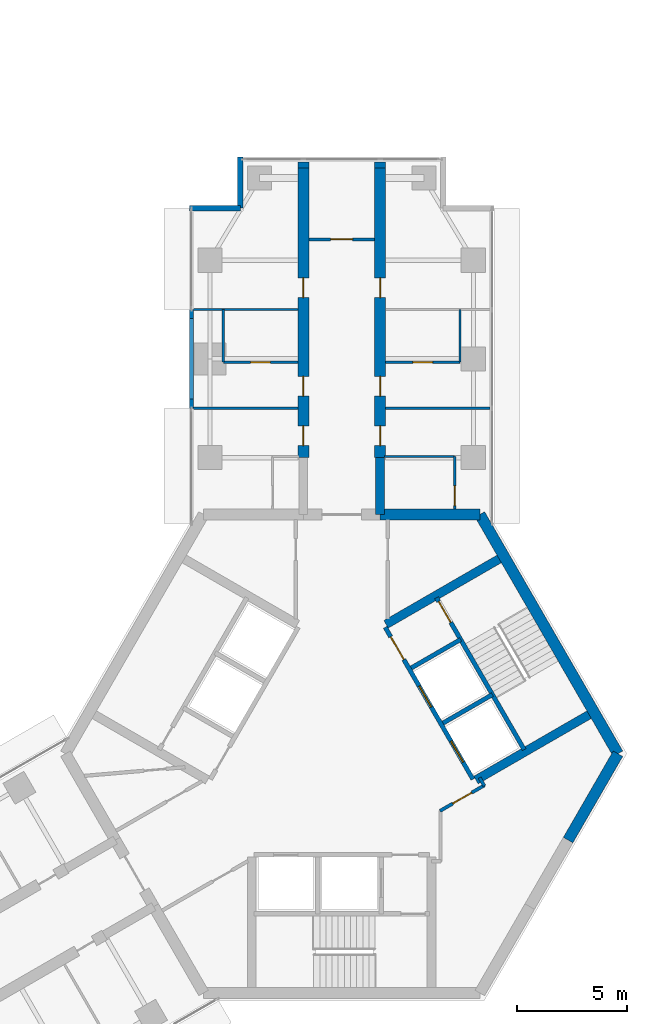
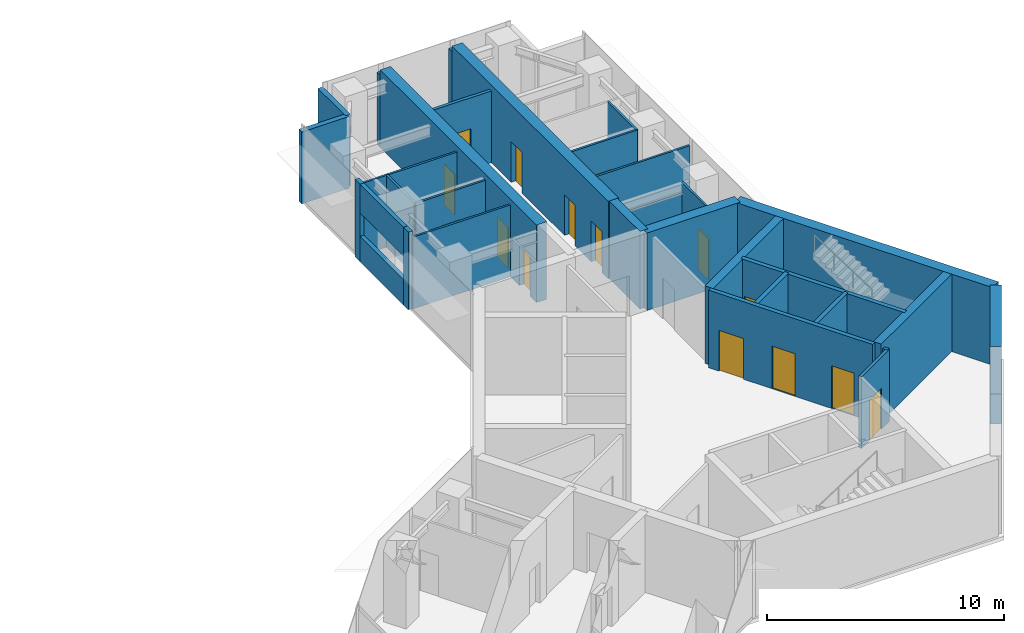
# One storey, part 15 of 17: 32 walls, 15 doors, 15 openings.
"""IFC4 building model written with IfcOpenShell, lengths in metres."""

from ifc_helpers import new_model, si_unit, direction, frame, frame_2d, origin, place, context, subcontext, project, spatial, rectangle, extrude, material, layer, layer_set, type_object, element, fill, save


model = new_model("IFC4")

# Units and contexts
model_context = context("Model", 3, precision=1e-05, world=origin(), true_north=direction((0.0, 1.0)))
body_context = subcontext(model_context, "Body", "Model", "MODEL_VIEW")
ifc_project = project(units=[si_unit("LENGTHUNIT", "METRE"), si_unit("AREAUNIT", "SQUARE_METRE"), si_unit("VOLUMEUNIT", "CUBIC_METRE"), si_unit("PLANEANGLEUNIT", "RADIAN"), si_unit("MASSUNIT", "GRAM", prefix="KILO")], contexts=[model_context])

# Site, building, storey
site_placement = place(None, origin())
site = spatial("IfcSite", under=ifc_project, at=site_placement, CompositionType="ELEMENT")
building_placement = place(site_placement, origin())
building = spatial("IfcBuilding", under=site, at=building_placement, Name="Upepo Twin Towers", CompositionType="ELEMENT")
storey_placement = place(building_placement, frame((0.0, 0.0, 234.5)))
storey = spatial("IfcBuildingStorey", under=building, at=storey_placement, Name="L57", CompositionType="ELEMENT", Elevation=234.5)

# Walls
ifc_material_1 = material(Name="Dense concrete blockwork", Category="masonry")
ifc_layer_1 = layer(ifc_material_1, 0.5)
ifc_layer_set_1 = layer_set([ifc_layer_1], Name="Buttress closer 500, blockwork with fire-stopping to the curtain wall")
wall_type_1 = type_object("IfcWallType", Name="Buttress closer 500, blockwork with fire-stopping to the curtain wall", PredefinedType="PARTITIONING", material=ifc_layer_set_1)
for number, where, z_axis, x_axis, name in (
    (1, (56.75, 8.699951171875, 0.0), (0.0, 0.0, 1.0), (0.0, 1.0, 0.0), "T2 L57 wing A buttress closer L"),
    (2, (60.25, 8.699951171875, 0.0), (0.0, 0.0, 1.0), (0.0, 1.0, 0.0), "T2 L57 wing A buttress closer R"),
):
    element("IfcWall", number, at=place(storey_placement, frame(where, z_axis=z_axis, x_axis=x_axis)), inside=storey, type_object=wall_type_1, Name=name, PredefinedType="PARTITIONING", context=body_context, shape_type="SweptSolid", body=[
        extrude(rectangle(XDim=0.28759765625, YDim=0.5, at=frame_2d((0.143798828125, 0.0))), origin(), (0.0, 0.0, 1.0), 3.699951171875),
    ])
ifc_material_2 = material(Name="Concrete C60/75", Category="concrete")
ifc_layer_2 = layer(ifc_material_2, 0.39990234375)
ifc_layer_set_2 = layer_set([ifc_layer_2], Name="Concrete C60/75")
wall_type_2 = type_object("IfcWallType", Name="Buttress wall 400 RC", PredefinedType="SHEAR", material=ifc_layer_set_2)
wall_1_placement = place(storey_placement, frame((60.25, -7.091552734375, 0.0), z_axis=(0.0, 0.0, 1.0), x_axis=(0.0, 1.0, 0.0)))
element("IfcWall", 3, at=wall_1_placement, inside=storey, type_object=wall_type_2, Name="T2 wing A buttress wall R", PredefinedType="SHEAR", context=body_context, shape_type="SweptSolid", body=[
    extrude(rectangle(XDim=2.591552734375, YDim=0.39990234375, at=frame_2d((1.2958984375, 0.0))), origin(), (0.0, 0.0, 1.0), 4.0),
])

# Wall, openings, doors
ifc_material_3 = material(Name="Concrete C60/75", Category="concrete")
ifc_layer_3 = layer(ifc_material_3, 0.5)
ifc_layer_set_3 = layer_set([ifc_layer_3], Name="Concrete C60/75")
wall_type_3 = type_object("IfcWallType", Name="Buttress wall 500 RC", PredefinedType="SHEAR", material=ifc_layer_set_3)
wall_2_placement = place(storey_placement, frame((56.75, -4.5, 0.0), z_axis=(0.0, 0.0, 1.0), x_axis=(0.0, 1.0, 0.0)))
wall_2 = element("IfcWall", 4, at=wall_2_placement, inside=storey, type_object=wall_type_3, Name="T2 wing A buttress wall L part 2", PredefinedType="SHEAR", context=body_context, shape_type="SweptSolid", body=[
    extrude(rectangle(XDim=13.199951171875, YDim=0.5, at=frame_2d((6.60009765625, 0.0))), origin(), (0.0, 0.0, 1.0), 4.0),
])
opening_1_placement = place(wall_2_placement, frame((0.550048828125, 0.0, 0.0)))
opening_1 = element("IfcOpeningElement", 5, at=opening_1_placement, cuts=wall_2, Name="Opening D11", PredefinedType="OPENING", context=body_context, shape_type="SweptSolid", body=[
    extrude(rectangle(XDim=0.89990234375, YDim=2.10009765625, at=frame_2d((0.449951171875, 1.050048828125))), frame((0.0, 0.260009765625, 0.0), z_axis=(0.0, -1.0, 0.0), x_axis=(1.0, 0.0, 0.0)), (0.0, 0.0, 1.0), 0.52001953125),
])
opening_2_placement = place(wall_2_placement, frame((2.800048828125, 0.0, 0.0)))
opening_2 = element("IfcOpeningElement", 6, at=opening_2_placement, cuts=wall_2, Name="Opening D14", PredefinedType="OPENING", context=body_context, shape_type="SweptSolid", body=[
    extrude(rectangle(XDim=0.89990234375, YDim=2.10009765625, at=frame_2d((0.449951171875, 1.050048828125))), frame((0.0, 0.260009765625, 0.0), z_axis=(0.0, -1.0, 0.0), x_axis=(1.0, 0.0, 0.0)), (0.0, 0.0, 1.0), 0.52001953125),
])
opening_3_placement = place(wall_2_placement, frame((7.300048828125, 0.0, 0.0)))
opening_3 = element("IfcOpeningElement", 7, at=opening_3_placement, cuts=wall_2, Name="Opening D14", PredefinedType="OPENING", context=body_context, shape_type="SweptSolid", body=[
    extrude(rectangle(XDim=0.89990234375, YDim=2.10009765625, at=frame_2d((0.449951171875, 1.050048828125))), frame((0.0, 0.260009765625, 0.0), z_axis=(0.0, -1.0, 0.0), x_axis=(1.0, 0.0, 0.0)), (0.0, 0.0, 1.0), 0.52001953125),
])
ifc_material_4 = material(Name="Timber doorset", Category="wood")
door_type_1 = type_object("IfcDoorType", Name="Office door 900 FD30", OperationType="SINGLE_SWING_LEFT", PredefinedType="DOOR", material=ifc_material_4)
door_1_placement = place(opening_2_placement, origin())
door_1 = element("IfcDoor", 8, at=door_1_placement, inside=storey, type_object=door_type_1, Name="T2 L57 staff office door", OperationType="SINGLE_SWING_LEFT", OverallHeight=2.10009765625, OverallWidth=0.89990234375, PredefinedType="DOOR", context=body_context, shape_type="SweptSolid", body=[
    extrude(rectangle(XDim=0.89990234375, YDim=2.10009765625, at=frame_2d((0.449951171875, 1.050048828125))), frame((0.0, 0.02490234375, 0.0), z_axis=(0.0, -1.0, 0.0), x_axis=(1.0, 0.0, 0.0)), (0.0, 0.0, 1.0), 0.050048828125),
])
fill(opening_2, door_1)
door_2_placement = place(opening_3_placement, origin())
door_2 = element("IfcDoor", 9, at=door_2_placement, inside=storey, type_object=door_type_1, Name="T2 L57 meeting room door", OperationType="SINGLE_SWING_RIGHT", OverallHeight=2.10009765625, OverallWidth=0.89990234375, PredefinedType="DOOR", context=body_context, shape_type="SweptSolid", body=[
    extrude(rectangle(XDim=0.89990234375, YDim=2.10009765625, at=frame_2d((0.449951171875, 1.050048828125))), frame((0.0, 0.02490234375, 0.0), z_axis=(0.0, -1.0, 0.0), x_axis=(1.0, 0.0, 0.0)), (0.0, 0.0, 1.0), 0.050048828125),
])
fill(opening_3, door_2)
ifc_material_5 = material(Name="Timber doorset", Category="wood")
door_type_2 = type_object("IfcDoorType", Name="Toilet door 900", OperationType="SINGLE_SWING_LEFT", PredefinedType="DOOR", material=ifc_material_5)
door_3_placement = place(opening_1_placement, origin())
door_3 = element("IfcDoor", 10, at=door_3_placement, inside=storey, type_object=door_type_2, Name="T2 L57 toilets door", OperationType="SINGLE_SWING_LEFT", OverallHeight=2.10009765625, OverallWidth=0.89990234375, PredefinedType="DOOR", context=body_context, shape_type="SweptSolid", body=[
    extrude(rectangle(XDim=0.89990234375, YDim=2.10009765625, at=frame_2d((0.449951171875, 1.050048828125))), frame((0.0, 0.02490234375, 0.0), z_axis=(0.0, -1.0, 0.0), x_axis=(1.0, 0.0, 0.0)), (0.0, 0.0, 1.0), 0.050048828125),
])
fill(opening_1, door_3)

wall_3_placement = place(storey_placement, frame((60.25, -4.5, 0.0), z_axis=(0.0, 0.0, 1.0), x_axis=(0.0, 1.0, 0.0)))
wall_3 = element("IfcWall", 11, at=wall_3_placement, inside=storey, type_object=wall_type_3, Name="T2 wing A buttress wall R part 2", PredefinedType="SHEAR", context=body_context, shape_type="SweptSolid", body=[
    extrude(rectangle(XDim=13.199951171875, YDim=0.5, at=frame_2d((6.60009765625, 0.0))), origin(), (0.0, 0.0, 1.0), 4.0),
])
opening_4_placement = place(wall_3_placement, frame((0.550048828125, 0.0, 0.0)))
opening_4 = element("IfcOpeningElement", 12, at=opening_4_placement, cuts=wall_3, Name="Opening D11", PredefinedType="OPENING", context=body_context, shape_type="SweptSolid", body=[
    extrude(rectangle(XDim=0.89990234375, YDim=2.10009765625, at=frame_2d((0.449951171875, 1.050048828125))), frame((0.0, 0.260009765625, 0.0), z_axis=(0.0, -1.0, 0.0), x_axis=(1.0, 0.0, 0.0)), (0.0, 0.0, 1.0), 0.52001953125),
])
opening_5_placement = place(wall_3_placement, frame((2.800048828125, 0.0, 0.0)))
opening_5 = element("IfcOpeningElement", 13, at=opening_5_placement, cuts=wall_3, Name="Opening D14", PredefinedType="OPENING", context=body_context, shape_type="SweptSolid", body=[
    extrude(rectangle(XDim=0.89990234375, YDim=2.10009765625, at=frame_2d((0.449951171875, 1.050048828125))), frame((0.0, 0.260009765625, 0.0), z_axis=(0.0, -1.0, 0.0), x_axis=(1.0, 0.0, 0.0)), (0.0, 0.0, 1.0), 0.52001953125),
])
opening_6_placement = place(wall_3_placement, frame((7.300048828125, 0.0, 0.0)))
opening_6 = element("IfcOpeningElement", 14, at=opening_6_placement, cuts=wall_3, Name="Opening D14", PredefinedType="OPENING", context=body_context, shape_type="SweptSolid", body=[
    extrude(rectangle(XDim=0.89990234375, YDim=2.10009765625, at=frame_2d((0.449951171875, 1.050048828125))), frame((0.0, 0.260009765625, 0.0), z_axis=(0.0, -1.0, 0.0), x_axis=(1.0, 0.0, 0.0)), (0.0, 0.0, 1.0), 0.52001953125),
])
door_4_placement = place(opening_5_placement, origin())
door_4 = element("IfcDoor", 15, at=door_4_placement, inside=storey, type_object=door_type_1, Name="T2 L57 staff office door", OperationType="SINGLE_SWING_LEFT", OverallHeight=2.10009765625, OverallWidth=0.89990234375, PredefinedType="DOOR", context=body_context, shape_type="SweptSolid", body=[
    extrude(rectangle(XDim=0.89990234375, YDim=2.10009765625, at=frame_2d((0.449951171875, 1.050048828125))), frame((0.0, 0.02490234375, 0.0), z_axis=(0.0, -1.0, 0.0), x_axis=(1.0, 0.0, 0.0)), (0.0, 0.0, 1.0), 0.050048828125),
])
fill(opening_5, door_4)
door_5_placement = place(opening_6_placement, origin())
door_5 = element("IfcDoor", 16, at=door_5_placement, inside=storey, type_object=door_type_1, Name="T2 L57 postgraduate office door", OperationType="SINGLE_SWING_RIGHT", OverallHeight=2.10009765625, OverallWidth=0.89990234375, PredefinedType="DOOR", context=body_context, shape_type="SweptSolid", body=[
    extrude(rectangle(XDim=0.89990234375, YDim=2.10009765625, at=frame_2d((0.449951171875, 1.050048828125))), frame((0.0, 0.02490234375, 0.0), z_axis=(0.0, -1.0, 0.0), x_axis=(1.0, 0.0, 0.0)), (0.0, 0.0, 1.0), 0.050048828125),
])
fill(opening_6, door_5)
door_6_placement = place(opening_4_placement, origin())
door_6 = element("IfcDoor", 17, at=door_6_placement, inside=storey, type_object=door_type_2, Name="T2 L57 accessible wc door", OperationType="SINGLE_SWING_LEFT", OverallHeight=2.10009765625, OverallWidth=0.89990234375, PredefinedType="DOOR", context=body_context, shape_type="SweptSolid", body=[
    extrude(rectangle(XDim=0.89990234375, YDim=2.10009765625, at=frame_2d((0.449951171875, 1.050048828125))), frame((0.0, 0.02490234375, 0.0), z_axis=(0.0, -1.0, 0.0), x_axis=(1.0, 0.0, 0.0)), (0.0, 0.0, 1.0), 0.050048828125),
])
fill(opening_4, door_6)

# Walls
ifc_material_6 = material(Name="Concrete C60/75", Category="concrete")
ifc_layer_4 = layer(ifc_material_6, 0.5)
ifc_layer_set_4 = layer_set([ifc_layer_4], Name="Concrete C60/75")
wall_type_4 = type_object("IfcWallType", Name="Core wall 500 RC", PredefinedType="SHEAR", material=ifc_layer_set_4)
wall_4_placement = place(storey_placement, frame((64.7978515625, -7.091552734375, 0.0), z_axis=(0.0, 0.0, 1.0), x_axis=(-1.0, 0.0, 0.0)))
element("IfcWall", 18, at=wall_4_placement, inside=storey, type_object=wall_type_4, Name="T2 core wall 000 R", PredefinedType="SHEAR", context=body_context, shape_type="SweptSolid", body=[
    extrude(rectangle(XDim=4.5478515625, YDim=0.5, at=frame_2d((2.27392578125, 0.0))), origin(), (0.0, 0.0, 1.0), 4.0),
])
wall_5_placement = place(storey_placement, frame((68.82177734375, -21.938720703125, 0.0), z_axis=(0.0, 0.0, 1.0), x_axis=(0.500024481964, 0.866011268655, 0.0)))
element("IfcWall", 19, at=wall_5_placement, inside=storey, type_object=wall_type_4, Name="T2 core wall 240 L", PredefinedType="SHEAR", context=body_context, shape_type="SweptSolid", body=[
    extrude(rectangle(XDim=4.548095703125, YDim=0.5, at=frame_2d((2.27392578125, 0.0))), origin(), (0.0, 0.0, 1.0), 4.0),
])
wall_6_placement = place(storey_placement, frame((71.095947265625, -18.0, 0.0), z_axis=(0.0, 0.0, 1.0), x_axis=(-0.500005998175, 0.866021940709, 0.0)))
element("IfcWall", 20, at=wall_6_placement, inside=storey, type_object=wall_type_4, Name="T2 core wall 300", PredefinedType="SHEAR", context=body_context, shape_type="SweptSolid", body=[
    extrude(rectangle(XDim=12.595947265625, YDim=0.5, at=frame_2d((6.2978515625, 0.0))), origin(), (0.0, 0.0, 1.0), 4.0),
])
ifc_material_7 = material(Name="Blockwork with anodised aluminium cladding", Category="masonry")
ifc_layer_5 = layer(ifc_material_7, 0.25)
ifc_layer_set_5 = layer_set([ifc_layer_5], Name="Notch cladding wall 250, pale metal")
wall_type_5 = type_object("IfcWallType", Name="Notch cladding wall 250, pale metal", PredefinedType="STANDARD", material=ifc_layer_set_5)
for number, where, z_axis, x_axis, name in (
    (21, (51.550048828125, 6.875, 0.0), (0.0, 0.0, 1.0), (1.0, 0.0, 0.0), "T2 L57 wing A notch wall L1"),
    (22, (53.875, 6.875, 0.0), (0.0, 0.0, 1.0), (0.0, 1.0, 0.0), "T2 L57 wing A notch wall L2"),
):
    element("IfcWall", number, at=place(storey_placement, frame(where, z_axis=z_axis, x_axis=x_axis)), inside=storey, type_object=wall_type_5, Name=name, PredefinedType="STANDARD", context=body_context, shape_type="SweptSolid", body=[
        extrude(rectangle(XDim=2.324951171875, YDim=0.25, at=frame_2d((1.16259765625, 0.0))), origin(), (0.0, 0.0, 1.0), 3.699951171875),
    ])
ifc_material_8 = material(Name="Gypsum board on steel studs", Category="steel")
ifc_layer_6 = layer(ifc_material_8, 0.10009765625)
ifc_layer_set_6 = layer_set([ifc_layer_6], Name="Office partition 100 stud")
wall_type_6 = type_object("IfcWallType", Name="Office partition 100 stud", PredefinedType="PARTITIONING", material=ifc_layer_set_6)
for number, where, z_axis, x_axis, name in (
    (23, (56.5, -2.25, 0.0), (0.0, 0.0, 1.0), (-1.0, 0.0, 0.0), "T2 partition AL at 15.75"),
    (24, (56.5, 2.25, 0.0), (0.0, 0.0, 1.0), (-1.0, 0.0, 0.0), "T2 partition AL at 20.25"),
):
    element("IfcWall", number, at=place(storey_placement, frame(where, z_axis=z_axis, x_axis=x_axis)), inside=storey, type_object=wall_type_6, Name=name, PredefinedType="PARTITIONING", context=body_context, shape_type="SweptSolid", body=[
        extrude(rectangle(XDim=4.75, YDim=0.10009765625, at=frame_2d((2.375, 0.0))), origin(), (0.0, 0.0, 1.0), 3.699951171875),
    ])
wall_7_placement = place(storey_placement, frame((53.10009765625, -0.14990234375, 0.0), z_axis=(0.0, 0.0, 1.0), x_axis=(0.0, 1.0, 0.0)))
element("IfcWall", 25, at=wall_7_placement, inside=storey, type_object=wall_type_6, Name="T2 inner room partition AL at 17.85", PredefinedType="PARTITIONING", context=body_context, shape_type="SweptSolid", body=[
    extrude(rectangle(XDim=2.39990234375, YDim=0.10009765625, at=frame_2d((1.199951171875, 0.0))), origin(), (0.0, 0.0, 1.0), 3.699951171875),
])

# Wall, opening, door
wall_8_placement = place(storey_placement, frame((56.5, -0.14990234375, 0.0), z_axis=(0.0, 0.0, 1.0), x_axis=(-1.0, 0.0, 0.0)))
wall_8 = element("IfcWall", 26, at=wall_8_placement, inside=storey, type_object=wall_type_6, Name="T2 inner room partition AL end at 17.85", PredefinedType="PARTITIONING", context=body_context, shape_type="SweptSolid", body=[
    extrude(rectangle(XDim=3.39990234375, YDim=0.10009765625, at=frame_2d((1.699951171875, 0.0))), origin(), (0.0, 0.0, 1.0), 3.699951171875),
])
opening_7_placement = place(wall_8_placement, frame((1.25, 0.0, 0.0)))
opening_7 = element("IfcOpeningElement", 27, at=opening_7_placement, cuts=wall_8, Name="Opening D14", PredefinedType="OPENING", context=body_context, shape_type="SweptSolid", body=[
    extrude(rectangle(XDim=0.89990234375, YDim=2.10009765625, at=frame_2d((0.449951171875, 1.050048828125))), frame((0.0, 0.06005859375, 0.0), z_axis=(0.0, -1.0, 0.0), x_axis=(1.0, 0.0, 0.0)), (0.0, 0.0, 1.0), 0.1201171875),
])
door_7_placement = place(opening_7_placement, origin())
door_7 = element("IfcDoor", 28, at=door_7_placement, inside=storey, type_object=door_type_1, Name="T2 L57 inner room door", OperationType="SINGLE_SWING_LEFT", OverallHeight=2.10009765625, OverallWidth=0.89990234375, PredefinedType="DOOR", context=body_context, shape_type="SweptSolid", body=[
    extrude(rectangle(XDim=0.89990234375, YDim=2.10009765625, at=frame_2d((0.449951171875, 1.050048828125))), frame((0.0, 0.02490234375, 0.0), z_axis=(0.0, -1.0, 0.0), x_axis=(1.0, 0.0, 0.0)), (0.0, 0.0, 1.0), 0.050048828125),
])
fill(opening_7, door_7)

# Walls
wall_9_placement = place(storey_placement, frame((60.5, -2.25, 0.0), z_axis=(0.0, 0.0, 1.0), x_axis=(1.0, 0.0, 0.0)))
element("IfcWall", 29, at=wall_9_placement, inside=storey, type_object=wall_type_6, Name="T2 partition AR at 15.75", PredefinedType="PARTITIONING", context=body_context, shape_type="SweptSolid", body=[
    extrude(rectangle(XDim=4.75, YDim=0.10009765625, at=frame_2d((2.375, 0.0))), origin(), (0.0, 0.0, 1.0), 3.699951171875),
])
wall_10_placement = place(storey_placement, frame((63.89990234375, -0.14990234375, 0.0), z_axis=(0.0, 0.0, 1.0), x_axis=(0.0, 1.0, 0.0)))
element("IfcWall", 30, at=wall_10_placement, inside=storey, type_object=wall_type_6, Name="T2 inner room partition AR at 17.85", PredefinedType="PARTITIONING", context=body_context, shape_type="SweptSolid", body=[
    extrude(rectangle(XDim=2.39990234375, YDim=0.10009765625, at=frame_2d((1.199951171875, 0.0))), origin(), (0.0, 0.0, 1.0), 3.699951171875),
])

# Wall, opening, door
wall_11_placement = place(storey_placement, frame((60.5, -0.14990234375, 0.0), z_axis=(0.0, 0.0, 1.0), x_axis=(1.0, 0.0, 0.0)))
wall_11 = element("IfcWall", 31, at=wall_11_placement, inside=storey, type_object=wall_type_6, Name="T2 inner room partition AR end at 17.85", PredefinedType="PARTITIONING", context=body_context, shape_type="SweptSolid", body=[
    extrude(rectangle(XDim=3.39990234375, YDim=0.10009765625, at=frame_2d((1.699951171875, 0.0))), origin(), (0.0, 0.0, 1.0), 3.699951171875),
])
opening_8_placement = place(wall_11_placement, frame((1.25, 0.0, 0.0)))
opening_8 = element("IfcOpeningElement", 32, at=opening_8_placement, cuts=wall_11, Name="Opening D14", PredefinedType="OPENING", context=body_context, shape_type="SweptSolid", body=[
    extrude(rectangle(XDim=0.89990234375, YDim=2.10009765625, at=frame_2d((0.449951171875, 1.050048828125))), frame((0.0, 0.06005859375, 0.0), z_axis=(0.0, -1.0, 0.0), x_axis=(1.0, 0.0, 0.0)), (0.0, 0.0, 1.0), 0.1201171875),
])
door_8_placement = place(opening_8_placement, origin())
door_8 = element("IfcDoor", 33, at=door_8_placement, inside=storey, type_object=door_type_1, Name="T2 L57 inner room door", OperationType="SINGLE_SWING_LEFT", OverallHeight=2.10009765625, OverallWidth=0.89990234375, PredefinedType="DOOR", context=body_context, shape_type="SweptSolid", body=[
    extrude(rectangle(XDim=0.89990234375, YDim=2.10009765625, at=frame_2d((0.449951171875, 1.050048828125))), frame((0.0, 0.02490234375, 0.0), z_axis=(0.0, -1.0, 0.0), x_axis=(1.0, 0.0, 0.0)), (0.0, 0.0, 1.0), 0.050048828125),
])
fill(opening_8, door_8)

wall_12_placement = place(storey_placement, frame((63.64990234375, -6.842041015625, 0.0), z_axis=(0.0, 0.0, 1.0), x_axis=(0.0, 1.0, 0.0)))
wall_12 = element("IfcWall", 34, at=wall_12_placement, inside=storey, type_object=wall_type_6, Name="T2 WC bay partition AR at 11.16", PredefinedType="PARTITIONING", context=body_context, shape_type="SweptSolid", body=[
    extrude(rectangle(XDim=2.400146484375, YDim=0.10009765625, at=frame_2d((1.2001953125, 0.0))), origin(), (0.0, 0.0, 1.0), 3.699951171875),
])
opening_9_placement = place(wall_12_placement, frame((0.14990234375, 0.0, 0.0)))
opening_9 = element("IfcOpeningElement", 35, at=opening_9_placement, cuts=wall_12, Name="Opening D14", PredefinedType="OPENING", context=body_context, shape_type="SweptSolid", body=[
    extrude(rectangle(XDim=0.89990234375, YDim=2.10009765625, at=frame_2d((0.449951171875, 1.050048828125))), frame((0.0, 0.06005859375, 0.0), z_axis=(0.0, -1.0, 0.0), x_axis=(1.0, 0.0, 0.0)), (0.0, 0.0, 1.0), 0.1201171875),
])
door_9_placement = place(opening_9_placement, origin())
door_9 = element("IfcDoor", 36, at=door_9_placement, inside=storey, type_object=door_type_1, Name="T2 L57 WC bay inner room door", OperationType="SINGLE_SWING_LEFT", OverallHeight=2.10009765625, OverallWidth=0.89990234375, PredefinedType="DOOR", context=body_context, shape_type="SweptSolid", body=[
    extrude(rectangle(XDim=0.89990234375, YDim=2.10009765625, at=frame_2d((0.449951171875, 1.050048828125))), frame((0.0, 0.02490234375, 0.0), z_axis=(0.0, -1.0, 0.0), x_axis=(1.0, 0.0, 0.0)), (0.0, 0.0, 1.0), 0.050048828125),
])
fill(opening_9, door_9)

# Walls
wall_13_placement = place(storey_placement, frame((60.449951171875, -4.44189453125, 0.0), z_axis=(0.0, 0.0, 1.0), x_axis=(1.0, 0.0, 0.0)))
element("IfcWall", 37, at=wall_13_placement, inside=storey, type_object=wall_type_6, Name="T2 WC bay partition AR end at 13.56", PredefinedType="PARTITIONING", context=body_context, shape_type="SweptSolid", body=[
    extrude(rectangle(XDim=3.199951171875, YDim=0.10009765625, at=frame_2d((1.60009765625, 0.0))), origin(), (0.0, 0.0, 1.0), 3.1669921875),
])
ifc_material_9 = material(Name="Concrete C40/50", Category="concrete")
ifc_layer_7 = layer(ifc_material_9, 0.25)
ifc_layer_set_7 = layer_set([ifc_layer_7], Name="Concrete C40/50")
wall_type_7 = type_object("IfcWallType", Name="Refuge fire wall 250 RC", PredefinedType="STANDARD", material=ifc_layer_set_7)
for number, where, z_axis, x_axis, name in (
    (38, (51.64990234375, -2.25, 0.0), (0.0, 0.0, 1.0), (0.0, 1.0, 0.0), "T2 L57 skybridge seat wall 1"),
    (39, (51.64990234375, 1.832763671875, 0.0), (0.0, 0.0, 1.0), (0.0, 1.0, 0.0), "T2 L57 skybridge seat wall 2"),
):
    element("IfcWall", number, at=place(storey_placement, frame(where, z_axis=z_axis, x_axis=x_axis)), inside=storey, type_object=wall_type_7, Name=name, PredefinedType="STANDARD", context=body_context, shape_type="SweptSolid", body=[
        extrude(rectangle(XDim=0.417236328125, YDim=0.199951171875, at=frame_2d((0.20849609375, 0.0))), origin(), (0.0, 0.0, 1.0), 4.0),
    ])
wall_14_placement = place(storey_placement, frame((51.64990234375, -1.832763671875, 0.0), z_axis=(0.0, 0.0, 1.0), x_axis=(0.0, 1.0, 0.0)))
element("IfcWall", 40, at=wall_14_placement, inside=storey, type_object=wall_type_7, Name="T2 L57 skybridge seat wall 3", PredefinedType="STANDARD", context=body_context, shape_type="SweptSolid", body=[
    extrude(rectangle(XDim=3.66552734375, YDim=0.199951171875, at=frame_2d((1.832763671875, 0.0))), origin(), (0.0, 0.0, 1.0), 1.305908203125),
])
wall_15_placement = place(storey_placement, frame((51.64990234375, -1.832763671875, 2.515869140625), z_axis=(0.0, 0.0, 1.0), x_axis=(0.0, 1.0, 0.0)))
element("IfcWall", 41, at=wall_15_placement, inside=storey, type_object=wall_type_7, Name="T2 L57 skybridge seat wall 4", PredefinedType="STANDARD", context=body_context, shape_type="SweptSolid", body=[
    extrude(rectangle(XDim=3.66552734375, YDim=0.199951171875, at=frame_2d((1.832763671875, 0.0))), origin(), (0.0, 0.0, 1.0), 1.484130859375),
])

# Wall, openings, doors
ifc_material_10 = material(Name="Concrete C40/50", Category="concrete")
ifc_layer_8 = layer(ifc_material_10, 0.199951171875)
ifc_layer_set_8 = layer_set([ifc_layer_8], Name="Concrete C40/50")
wall_type_8 = type_object("IfcWallType", Name="Shaft wall 200 RC", PredefinedType="SHEAR", material=ifc_layer_set_8)
wall_16_placement = place(storey_placement, frame((64.483642578125, -19.1640625, 0.0), z_axis=(0.0, 0.0, 1.0), x_axis=(-0.49999894854, 0.866026010844, 0.0)))
wall_16 = element("IfcWall", 42, at=wall_16_placement, inside=storey, type_object=wall_type_8, Name="T2 core W300 front wall", PredefinedType="SHEAR", context=body_context, shape_type="SweptSolid", body=[
    extrude(rectangle(XDim=8.0, YDim=0.199951171875, at=frame_2d((4.0, 0.0))), origin(), (0.0, 0.0, 1.0), 4.0),
])
opening_10_placement = place(wall_16_placement, frame((6.300048828125, 0.0, 0.0)))
opening_10 = element("IfcOpeningElement", 43, at=opening_10_placement, cuts=wall_16, Name="Opening D4", PredefinedType="OPENING", context=body_context, shape_type="SweptSolid", body=[
    extrude(rectangle(XDim=1.199951171875, YDim=2.10009765625, at=frame_2d((0.60009765625, 1.050048828125))), frame((0.0, 0.10986328125, 0.0), z_axis=(0.0, -1.0, 0.0), x_axis=(1.0, 0.0, 0.0)), (0.0, 0.0, 1.0), 0.219970703125),
])
opening_11_placement = place(wall_16_placement, frame((0.89990234375, 0.0, 0.0)))
opening_11 = element("IfcOpeningElement", 44, at=opening_11_placement, cuts=wall_16, Name="Opening LD1", PredefinedType="OPENING", context=body_context, shape_type="SweptSolid", body=[
    extrude(rectangle(XDim=1.10009765625, YDim=2.199951171875, at=frame_2d((0.550048828125, 1.10009765625))), frame((0.0, 0.10986328125, 0.0), z_axis=(0.0, -1.0, 0.0), x_axis=(1.0, 0.0, 0.0)), (0.0, 0.0, 1.0), 0.219970703125),
])
opening_12_placement = place(wall_16_placement, frame((3.800048828125, 0.0, 0.0)))
opening_12 = element("IfcOpeningElement", 45, at=opening_12_placement, cuts=wall_16, Name="Opening LD1", PredefinedType="OPENING", context=body_context, shape_type="SweptSolid", body=[
    extrude(rectangle(XDim=1.10009765625, YDim=2.199951171875, at=frame_2d((0.550048828125, 1.10009765625))), frame((0.0, 0.10986328125, 0.0), z_axis=(0.0, -1.0, 0.0), x_axis=(1.0, 0.0, 0.0)), (0.0, 0.0, 1.0), 0.219970703125),
])
ifc_material_11 = material(Name="Steel doorset", Category="steel")
door_type_3 = type_object("IfcDoorType", Name="Lift landing door 1100", OperationType="DOUBLE_DOOR_SLIDING", PredefinedType="DOOR", material=ifc_material_11)
door_10_placement = place(opening_11_placement, origin())
door_10 = element("IfcDoor", 46, at=door_10_placement, inside=storey, type_object=door_type_3, Name="T2 L57 lift UL1 landing door", OperationType="DOUBLE_DOOR_SLIDING", OverallHeight=2.199951171875, OverallWidth=1.10009765625, PredefinedType="DOOR", context=body_context, shape_type="SweptSolid", body=[
    extrude(rectangle(XDim=1.10009765625, YDim=2.199951171875, at=frame_2d((0.550048828125, 1.10009765625))), frame((0.0, 0.02490234375, 0.0), z_axis=(0.0, -1.0, 0.0), x_axis=(1.0, 0.0, 0.0)), (0.0, 0.0, 1.0), 0.050048828125),
])
fill(opening_11, door_10)
door_11_placement = place(opening_12_placement, origin())
door_11 = element("IfcDoor", 47, at=door_11_placement, inside=storey, type_object=door_type_3, Name="T2 L57 lift UL2 landing door", OperationType="DOUBLE_DOOR_SLIDING", OverallHeight=2.199951171875, OverallWidth=1.10009765625, PredefinedType="DOOR", context=body_context, shape_type="SweptSolid", body=[
    extrude(rectangle(XDim=1.10009765625, YDim=2.199951171875, at=frame_2d((0.550048828125, 1.10009765625))), frame((0.0, 0.02490234375, 0.0), z_axis=(0.0, -1.0, 0.0), x_axis=(1.0, 0.0, 0.0)), (0.0, 0.0, 1.0), 0.050048828125),
])
fill(opening_12, door_11)
ifc_material_12 = material(Name="Timber doorset", Category="wood")
door_type_4 = type_object("IfcDoorType", Name="Lobby door 1200 FD60", OperationType="SINGLE_SWING_LEFT", PredefinedType="DOOR", material=ifc_material_12)
door_12_placement = place(opening_10_placement, origin())
door_12 = element("IfcDoor", 48, at=door_12_placement, inside=storey, type_object=door_type_4, Name="T2 L57 W300 lobby door", OperationType="SINGLE_SWING_RIGHT", OverallHeight=2.10009765625, OverallWidth=1.199951171875, PredefinedType="DOOR", context=body_context, shape_type="SweptSolid", body=[
    extrude(rectangle(XDim=1.199951171875, YDim=2.10009765625, at=frame_2d((0.60009765625, 1.050048828125))), frame((0.0, 0.02490234375, 0.0), z_axis=(0.0, -1.0, 0.0), x_axis=(1.0, 0.0, 0.0)), (0.0, 0.0, 1.0), 0.050048828125),
])
fill(opening_10, door_12)

# Walls
wall_17_placement = place(storey_placement, frame((63.120361328125, -16.6025390625, 0.0), z_axis=(0.0, 0.0, 1.0), x_axis=(0.866062058628, 0.499936506574, 0.0)))
element("IfcWall", 49, at=wall_17_placement, inside=storey, type_object=wall_type_8, Name="T2 core W300 shaft divider", PredefinedType="SHEAR", context=body_context, shape_type="SweptSolid", body=[
    extrude(rectangle(XDim=2.599853515625, YDim=0.199951171875, at=frame_2d((1.2998046875, 0.0))), origin(), (0.0, 0.0, 1.0), 4.0),
])
wall_18_placement = place(storey_placement, frame((61.67041015625, -14.091064453125, 0.0), z_axis=(0.0, 0.0, 1.0), x_axis=(0.86603858612, 0.49997716683, 0.0)))
element("IfcWall", 50, at=wall_18_placement, inside=storey, type_object=wall_type_8, Name="T2 core W300 lobby wall", PredefinedType="SHEAR", context=body_context, shape_type="SweptSolid", body=[
    extrude(rectangle(XDim=2.599609375, YDim=0.199951171875, at=frame_2d((1.2998046875, 0.0))), origin(), (0.0, 0.0, 1.0), 4.0),
])

# Wall, opening, door
wall_19_placement = place(storey_placement, frame((66.822021484375, -17.814208984375, 0.0), z_axis=(0.0, 0.0, 1.0), x_axis=(-0.49999894854, 0.866026010844, 0.0)))
wall_19 = element("IfcWall", 51, at=wall_19_placement, inside=storey, type_object=wall_type_8, Name="T2 core W300 stair wall", PredefinedType="SHEAR", context=body_context, shape_type="SweptSolid", body=[
    extrude(rectangle(XDim=8.0, YDim=0.199951171875, at=frame_2d((4.0, 0.0))), origin(), (0.0, 0.0, 1.0), 4.0),
])
opening_13_placement = place(wall_19_placement, frame((6.699951171875, 0.0, 0.0)))
opening_13 = element("IfcOpeningElement", 52, at=opening_13_placement, cuts=wall_19, Name="Opening D3", PredefinedType="OPENING", context=body_context, shape_type="SweptSolid", body=[
    extrude(rectangle(XDim=1.10009765625, YDim=2.10009765625, at=frame_2d((0.550048828125, 1.050048828125))), frame((0.0, 0.10986328125, 0.0), z_axis=(0.0, -1.0, 0.0), x_axis=(1.0, 0.0, 0.0)), (0.0, 0.0, 1.0), 0.219970703125),
])
ifc_material_13 = material(Name="Timber doorset", Category="wood")
door_type_5 = type_object("IfcDoorType", Name="Stair door 1100 FD60", OperationType="SINGLE_SWING_LEFT", PredefinedType="DOOR", material=ifc_material_13)
door_13_placement = place(opening_13_placement, origin())
door_13 = element("IfcDoor", 53, at=door_13_placement, inside=storey, type_object=door_type_5, Name="T2 L57 stair door", OperationType="SINGLE_SWING_RIGHT", OverallHeight=2.10009765625, OverallWidth=1.10009765625, PredefinedType="DOOR", context=body_context, shape_type="SweptSolid", body=[
    extrude(rectangle(XDim=1.10009765625, YDim=2.10009765625, at=frame_2d((0.550048828125, 1.050048828125))), frame((0.0, 0.02490234375, 0.0), z_axis=(0.0, -1.0, 0.0), x_axis=(1.0, 0.0, 0.0)), (0.0, 0.0, 1.0), 0.050048828125),
])
fill(opening_13, door_13)

# Walls
ifc_material_14 = material(Name="Concrete C40/50", Category="concrete")
ifc_layer_9 = layer(ifc_material_14, 0.39990234375)
ifc_layer_set_9 = layer_set([ifc_layer_9], Name="Concrete C40/50")
wall_type_9 = type_object("IfcWallType", Name="Shaft wall 400 RC", PredefinedType="SHEAR", material=ifc_layer_set_9)
wall_20_placement = place(storey_placement, frame((60.520263671875, -12.099365234375, 0.0), z_axis=(0.0, 0.0, 1.0), x_axis=(0.86602319114, 0.500003832394, 0.0)))
element("IfcWall", 54, at=wall_20_placement, inside=storey, type_object=wall_type_9, Name="T2 core W300 side wall N", PredefinedType="SHEAR", context=body_context, shape_type="SweptSolid", body=[
    extrude(rectangle(XDim=5.95849609375, YDim=0.39990234375, at=frame_2d((2.979248046875, 0.0))), origin(), (0.0, 0.0, 1.0), 4.0),
])
wall_21_placement = place(storey_placement, frame((64.620361328125, -19.20068359375, 0.0), z_axis=(0.0, 0.0, 1.0), x_axis=(0.866012946976, 0.500021575205, 0.0)))
element("IfcWall", 55, at=wall_21_placement, inside=storey, type_object=wall_type_9, Name="T2 core W300 side wall S", PredefinedType="SHEAR", context=body_context, shape_type="SweptSolid", body=[
    extrude(rectangle(XDim=5.958251953125, YDim=0.39990234375, at=frame_2d((2.97900390625, 0.0))), origin(), (0.0, 0.0, 1.0), 4.0),
])
ifc_material_15 = material(Name="Gypsum board on steel studs", Category="steel")
ifc_layer_10 = layer(ifc_material_15, 0.14990234375)
ifc_layer_set_10 = layer_set([ifc_layer_10], Name="Teaching partition 150 acoustic")
wall_type_10 = type_object("IfcWallType", Name="Teaching partition 150 acoustic", PredefinedType="PARTITIONING", material=ifc_layer_set_10)
wall_22_placement = place(storey_placement, frame((64.78857421875, -19.092041015625, 0.0), z_axis=(0.0, 0.0, 1.0), x_axis=(0.499804398801, -0.866138304741, 0.0)))
element("IfcWall", 56, at=wall_22_placement, inside=storey, type_object=wall_type_10, Name="T2 core room partition 6", PredefinedType="PARTITIONING", context=body_context, shape_type="SweptSolid", body=[
    extrude(rectangle(XDim=0.429931640625, YDim=0.14990234375, at=frame_2d((0.21484375, 0.0))), origin(), (0.0, 0.0, 1.0), 3.699951171875),
])

# Wall, opening, door
wall_23_placement = place(storey_placement, frame((65.0107421875, -19.43701171875, 0.0), z_axis=(0.0, 0.0, 1.0), x_axis=(-0.865982457891, -0.500074377092, 0.0)))
wall_23 = element("IfcWall", 57, at=wall_23_placement, inside=storey, type_object=wall_type_10, Name="T2 core room partition 7", PredefinedType="PARTITIONING", context=body_context, shape_type="SweptSolid", body=[
    extrude(rectangle(XDim=2.342041015625, YDim=0.14990234375, at=frame_2d((1.1708984375, 0.0))), origin(), (0.0, 0.0, 1.0), 3.699951171875),
])
opening_14_placement = place(wall_23_placement, frame((0.6708984375, 0.0, 0.0)))
opening_14 = element("IfcOpeningElement", 58, at=opening_14_placement, cuts=wall_23, Name="Opening D1", PredefinedType="OPENING", context=body_context, shape_type="SweptSolid", body=[
    extrude(rectangle(XDim=1.0, YDim=2.10009765625, at=frame_2d((0.5, 1.050048828125))), frame((0.0, 0.0849609375, 0.0), z_axis=(0.0, -1.0, 0.0), x_axis=(1.0, 0.0, 0.0)), (0.0, 0.0, 1.0), 0.169921875),
])
ifc_material_16 = material(Name="Timber doorset", Category="wood")
door_type_6 = type_object("IfcDoorType", Name="Room door 1000 FD30", OperationType="SINGLE_SWING_LEFT", PredefinedType="DOOR", material=ifc_material_16)
door_14_placement = place(opening_14_placement, origin())
door_14 = element("IfcDoor", 59, at=door_14_placement, inside=storey, type_object=door_type_6, Name="T2 L57 core room door K4", OperationType="SINGLE_SWING_RIGHT", OverallHeight=2.10009765625, OverallWidth=1.0, PredefinedType="DOOR", context=body_context, shape_type="SweptSolid", body=[
    extrude(rectangle(XDim=1.0, YDim=2.10009765625, at=frame_2d((0.5, 1.050048828125))), frame((0.0, 0.02490234375, 0.0), z_axis=(0.0, -1.0, 0.0), x_axis=(1.0, 0.0, 0.0)), (0.0, 0.0, 1.0), 0.050048828125),
])
fill(opening_14, door_14)

wall_24_placement = place(storey_placement, frame((60.0, 5.449951171875, 0.0), z_axis=(0.0, 0.0, 1.0), x_axis=(-1.0, 0.0, 0.0)))
wall_24 = element("IfcWall", 60, at=wall_24_placement, inside=storey, type_object=wall_type_10, Name="T2 corridor end partition A at 23.45", PredefinedType="PARTITIONING", context=body_context, shape_type="SweptSolid", body=[
    extrude(rectangle(XDim=3.0, YDim=0.14990234375, at=frame_2d((1.5, 0.0))), origin(), (0.0, 0.0, 1.0), 3.699951171875),
])
opening_15_placement = place(wall_24_placement, frame((1.0, 0.0, 0.0)))
opening_15 = element("IfcOpeningElement", 61, at=opening_15_placement, cuts=wall_24, Name="Opening D1", PredefinedType="OPENING", context=body_context, shape_type="SweptSolid", body=[
    extrude(rectangle(XDim=1.0, YDim=2.10009765625, at=frame_2d((0.5, 1.050048828125))), frame((0.0, 0.0849609375, 0.0), z_axis=(0.0, -1.0, 0.0), x_axis=(1.0, 0.0, 0.0)), (0.0, 0.0, 1.0), 0.169921875),
])
door_15_placement = place(opening_15_placement, origin())
door_15 = element("IfcDoor", 62, at=door_15_placement, inside=storey, type_object=door_type_6, Name="T2 L57 breakout study room door", OperationType="SINGLE_SWING_LEFT", OverallHeight=2.10009765625, OverallWidth=1.0, PredefinedType="DOOR", context=body_context, shape_type="SweptSolid", body=[
    extrude(rectangle(XDim=1.0, YDim=2.10009765625, at=frame_2d((0.5, 1.050048828125))), frame((0.0, 0.02490234375, 0.0), z_axis=(0.0, -1.0, 0.0), x_axis=(1.0, 0.0, 0.0)), (0.0, 0.0, 1.0), 0.050048828125),
])
fill(opening_15, door_15)

save(model, "model.ifc")
